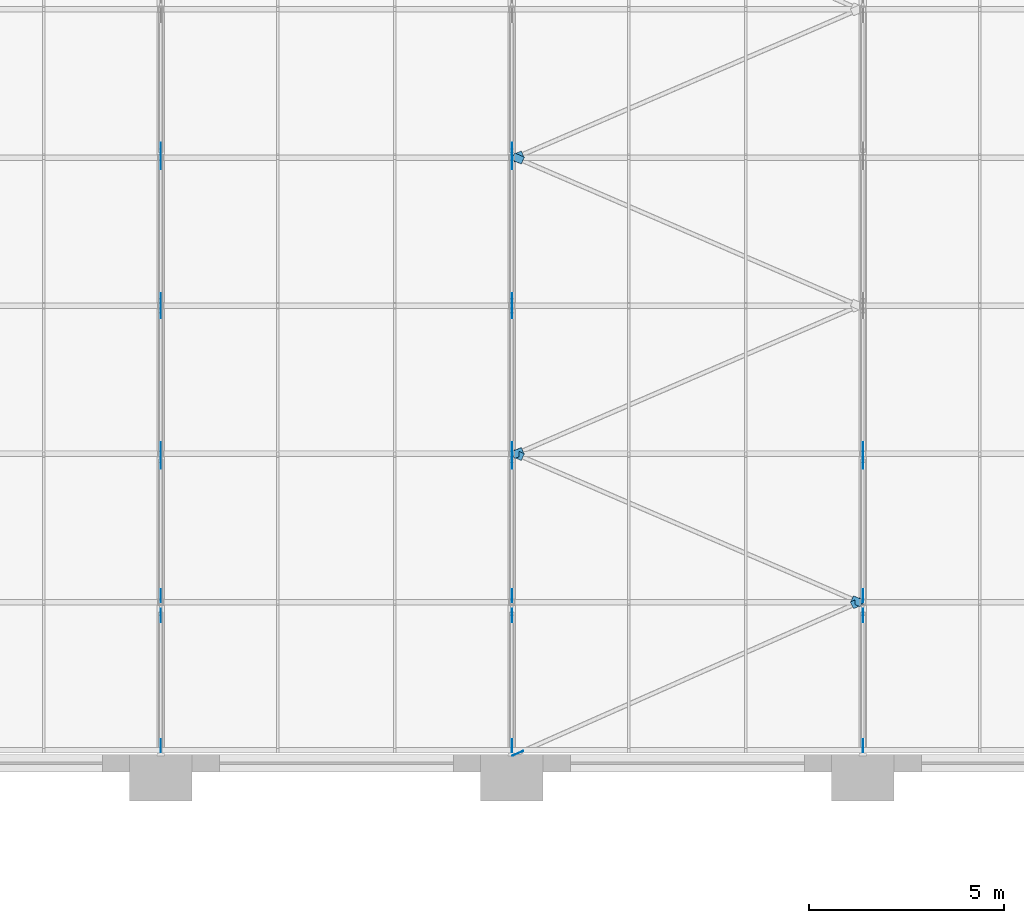
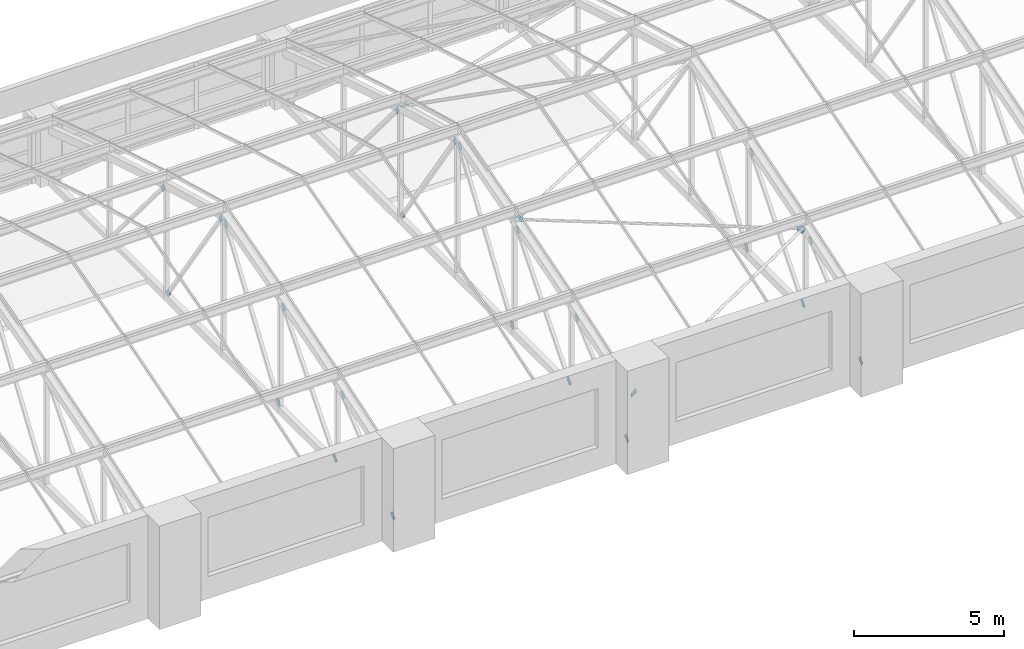
# One storey, part 68 of 82: 30 discrete accessories.
"""IFC4 building model written with IfcOpenShell, lengths in metres."""

from ifc_helpers import new_model, si_unit, direction, frame, origin, place, context, subcontext, project, spatial, polyline, outline, extrude, material, layer, layer_set, type_object, element, save


model = new_model("IFC4")

# Units and contexts
model_context = context("Model", 3, precision=1e-05, world=origin(), true_north=direction((0.0, 1.0)))
body_context = subcontext(model_context, "Body", "Model", "MODEL_VIEW")
ifc_project = project(units=[si_unit("LENGTHUNIT", "METRE"), si_unit("AREAUNIT", "SQUARE_METRE"), si_unit("VOLUMEUNIT", "CUBIC_METRE"), si_unit("PLANEANGLEUNIT", "RADIAN"), si_unit("MASSUNIT", "GRAM", prefix="KILO")], contexts=[model_context])

# Site, building, storey
site_placement = place(None, origin())
site = spatial("IfcSite", under=ifc_project, at=site_placement, CompositionType="ELEMENT")
building_placement = place(site_placement, origin())
building = spatial("IfcBuilding", under=site, at=building_placement, Name="Aravalli Gate Trade Fair Centre", CompositionType="ELEMENT")
storey_placement = place(building_placement, frame((0.0, 0.0, 19.199951171875)))
storey = spatial("IfcBuildingStorey", under=building, at=storey_placement, Name="L04", CompositionType="ELEMENT", Elevation=19.199951171875)

# Discrete accessories
ifc_material = material(Name="Steel E350", Category="steel")
ifc_layer = layer(ifc_material, 0.010009765625)
ifc_layer_set = layer_set([ifc_layer], Name="Steel E350")
discrete_accessory_type = type_object("IfcDiscreteAccessoryType", Name="Gusset plate 200 x 200 x 10", PredefinedType="USERDEFINED", material=ifc_layer_set)
discrete_accessory_1_placement = place(storey_placement, frame((59.9951171875, 109.990234375, 0.355224609375), z_axis=(-1.0, 0.0, 0.0), x_axis=(0.0, -0.756666176812, -0.653801420057)))
element("IfcDiscreteAccessory", 1, at=discrete_accessory_1_placement, inside=storey, type_object=discrete_accessory_type, Name="Gusset plate Concourse vault truss CT1 line 07 diagonal D1 end A", ObjectType="GUSSET PLATE", PredefinedType="USERDEFINED", context=body_context, shape_type="SweptSolid", body=[
    extrude(outline(polyline([(0.0, 0.0), (0.28006281897354945, 0.0), (0.28009048635135136, 0.1997461238225559), (5.27808438066657e-05, 0.2000904762631978), (0.0, 0.0)])), origin(), (0.0, 0.0, -1.0), 0.010009765625),
])
discrete_accessory_2_placement = place(storey_placement, frame((59.9951171875, 112.988525390625, 3.212158203125), z_axis=(-1.0, 0.0, 0.0), x_axis=(0.0, 0.756293179151, 0.654232853937)))
element("IfcDiscreteAccessory", 2, at=discrete_accessory_2_placement, inside=storey, type_object=discrete_accessory_type, Name="Gusset plate Concourse vault truss CT1 line 07 diagonal D1 end B", ObjectType="GUSSET PLATE", PredefinedType="USERDEFINED", context=body_context, shape_type="SweptSolid", body=[
    extrude(outline(polyline([(0.0, 0.0), (0.2798781315371493, 0.0), (0.27981679720709274, 0.20009047382409476), (-6.133433005656164e-05, 0.20009047382409473), (0.0, 0.0)])), origin(), (0.0, 0.0, -1.0), 0.010009765625),
])
discrete_accessory_3_placement = place(storey_placement, frame((60.0048828125, 113.677978515625, 0.517578125), z_axis=(1.0, 0.0, 0.0), x_axis=(0.0, -0.642926085547, -0.765928226744)))
element("IfcDiscreteAccessory", 3, at=discrete_accessory_3_placement, inside=storey, type_object=discrete_accessory_type, Name="Gusset plate Concourse vault truss CT1 line 07 diagonal D2 end A", ObjectType="GUSSET PLATE", PredefinedType="USERDEFINED", context=body_context, shape_type="SweptSolid", body=[
    extrude(outline(polyline([(0.0, 0.0), (0.2798636494456477, 2.7755575615628914e-17), (0.2799929267542597, 0.1999655872196676), (-2.768706774226859e-05, 0.20015258141565), (0.0, 0.0)])), origin(), (0.0, 0.0, -1.0), 0.010009765625),
])
discrete_accessory_4_placement = place(storey_placement, frame((59.9951171875, 116.918212890625, 4.374267578125), z_axis=(-1.0, 0.0, 0.0), x_axis=(0.0, 0.643008166301, 0.765859320025)))
element("IfcDiscreteAccessory", 4, at=discrete_accessory_4_placement, inside=storey, type_object=discrete_accessory_type, Name="Gusset plate Concourse vault truss CT1 line 07 diagonal D2 end B", ObjectType="GUSSET PLATE", PredefinedType="USERDEFINED", context=body_context, shape_type="SweptSolid", body=[
    extrude(outline(polyline([(0.0, 0.0), (0.28020760962713065, 0.0), (0.2802567470255098, 0.2001525772990151), (-0.00010784701722174606, 0.19996559992596197), (0.0, 0.0)])), origin(), (0.0, 0.0, -1.0), 0.010009765625),
])
discrete_accessory_5_placement = place(storey_placement, frame((60.0048828125, 117.432373046875, 0.521728515625), z_axis=(1.0, 0.0, 0.0), x_axis=(0.0, -0.563120416317, -0.826374852429)))
element("IfcDiscreteAccessory", 5, at=discrete_accessory_5_placement, inside=storey, type_object=discrete_accessory_type, Name="Gusset plate Concourse vault truss CT1 line 07 diagonal D3 end A", ObjectType="GUSSET PLATE", PredefinedType="USERDEFINED", context=body_context, shape_type="SweptSolid", body=[
    extrude(outline(polyline([(0.0, 0.0), (0.28007303443443027, 0.0), (0.2800062095132191, 0.19996442554114646), (0.00013492675174497926, 0.20010190611153644), (0.0, 0.0)])), origin(), (0.0, 0.0, -1.0), 0.010009765625),
])
discrete_accessory_6_placement = place(storey_placement, frame((59.9951171875, 120.77392578125, 5.423828125), z_axis=(-1.0, 0.0, 0.0), x_axis=(0.0, 0.564121160258, 0.82569202282)))
element("IfcDiscreteAccessory", 6, at=discrete_accessory_6_placement, inside=storey, type_object=discrete_accessory_type, Name="Gusset plate Concourse vault truss CT1 line 07 diagonal D3 end B", ObjectType="GUSSET PLATE", PredefinedType="USERDEFINED", context=body_context, shape_type="SweptSolid", body=[
    extrude(outline(polyline([(0.0, 0.0), (0.2800089688227054, -2.7755575615628914e-17), (0.2801803266875835, 0.19976261286755298), (0.00010749779101053292, 0.20010192272670302), (0.0, 0.0)])), origin(), (0.0, 0.0, -1.0), 0.010009765625),
])
discrete_accessory_7_placement = place(storey_placement, frame((59.9951171875, 121.2607421875, 5.31103515625), z_axis=(-1.0, 0.0, 0.0), x_axis=(0.0, -0.563120416317, 0.826374852429)))
element("IfcDiscreteAccessory", 7, at=discrete_accessory_7_placement, inside=storey, type_object=discrete_accessory_type, Name="Gusset plate Concourse vault truss CT1 line 07 diagonal D4 end A", ObjectType="GUSSET PLATE", PredefinedType="USERDEFINED", context=body_context, shape_type="SweptSolid", body=[
    extrude(outline(polyline([(0.0, 0.0), (0.28007303443443027, 0.0), (0.2800062095132191, 0.19996442554114646), (0.00013492675174497926, 0.20010190611153644), (0.0, 0.0)])), origin(), (0.0, 0.0, -1.0), 0.010009765625),
])
discrete_accessory_8_placement = place(storey_placement, frame((60.0048828125, 124.602294921875, 0.408935546875), z_axis=(1.0, 0.0, 0.0), x_axis=(0.0, 0.563526286674, -0.826098132323)))
element("IfcDiscreteAccessory", 8, at=discrete_accessory_8_placement, inside=storey, type_object=discrete_accessory_type, Name="Gusset plate Concourse vault truss CT1 line 07 diagonal D4 end B", ObjectType="GUSSET PLATE", PredefinedType="USERDEFINED", context=body_context, shape_type="SweptSolid", body=[
    extrude(outline(polyline([(0.0, 0.0), (0.279871316528615, 0.0), (0.2800363695260922, 0.19996436858870342), (-3.6631116859461854e-05, 0.20010194824853597), (0.0, 0.0)])), origin(), (0.0, 0.0, -1.0), 0.010009765625),
])
discrete_accessory_9_placement = place(storey_placement, frame((59.9951171875, 125.128662109375, 4.24560546875), z_axis=(-1.0, 0.0, 0.0), x_axis=(0.0, -0.643008166301, 0.765859320025)))
element("IfcDiscreteAccessory", 9, at=discrete_accessory_9_placement, inside=storey, type_object=discrete_accessory_type, Name="Gusset plate Concourse vault truss CT1 line 07 diagonal D5 end A", ObjectType="GUSSET PLATE", PredefinedType="USERDEFINED", context=body_context, shape_type="SweptSolid", body=[
    extrude(outline(polyline([(0.0, 0.0), (0.28020760962713065, 0.0), (0.2803154566443524, 0.19996559992596197), (0.00010784701722174606, 0.19996559992596197), (0.0, 0.0)])), origin(), (0.0, 0.0, -1.0), 0.010009765625),
])
discrete_accessory_10_placement = place(storey_placement, frame((68.9951171875, 109.990234375, 0.355224609375), z_axis=(-1.0, 0.0, 0.0), x_axis=(0.0, -0.756666176812, -0.653801420057)))
element("IfcDiscreteAccessory", 10, at=discrete_accessory_10_placement, inside=storey, type_object=discrete_accessory_type, Name="Gusset plate Concourse vault truss CT1 line 08 diagonal D1 end A", ObjectType="GUSSET PLATE", PredefinedType="USERDEFINED", context=body_context, shape_type="SweptSolid", body=[
    extrude(outline(polyline([(0.0, 0.0), (0.28006281897354945, 0.0), (0.28009048635135136, 0.1997461238225559), (5.27808438066657e-05, 0.2000904762631978), (0.0, 0.0)])), origin(), (0.0, 0.0, -1.0), 0.010009765625),
])
discrete_accessory_11_placement = place(storey_placement, frame((68.9951171875, 112.988525390625, 3.212158203125), z_axis=(-1.0, 0.0, 0.0), x_axis=(0.0, 0.756293179151, 0.654232853937)))
element("IfcDiscreteAccessory", 11, at=discrete_accessory_11_placement, inside=storey, type_object=discrete_accessory_type, Name="Gusset plate Concourse vault truss CT1 line 08 diagonal D1 end B", ObjectType="GUSSET PLATE", PredefinedType="USERDEFINED", context=body_context, shape_type="SweptSolid", body=[
    extrude(outline(polyline([(0.0, 0.0), (0.2798781315371493, 0.0), (0.27981679720709274, 0.20009047382409476), (-6.133433005656164e-05, 0.20009047382409473), (0.0, 0.0)])), origin(), (0.0, 0.0, -1.0), 0.010009765625),
])
discrete_accessory_12_placement = place(storey_placement, frame((69.0048828125, 113.677978515625, 0.517578125), z_axis=(1.0, 0.0, 0.0), x_axis=(0.0, -0.642926085547, -0.765928226744)))
element("IfcDiscreteAccessory", 12, at=discrete_accessory_12_placement, inside=storey, type_object=discrete_accessory_type, Name="Gusset plate Concourse vault truss CT1 line 08 diagonal D2 end A", ObjectType="GUSSET PLATE", PredefinedType="USERDEFINED", context=body_context, shape_type="SweptSolid", body=[
    extrude(outline(polyline([(0.0, 0.0), (0.2798636494456477, 2.7755575615628914e-17), (0.2799929267542597, 0.1999655872196676), (-2.768706774226859e-05, 0.20015258141565), (0.0, 0.0)])), origin(), (0.0, 0.0, -1.0), 0.010009765625),
])
discrete_accessory_13_placement = place(storey_placement, frame((68.9951171875, 116.918212890625, 4.374267578125), z_axis=(-1.0, 0.0, 0.0), x_axis=(0.0, 0.643008166301, 0.765859320025)))
element("IfcDiscreteAccessory", 13, at=discrete_accessory_13_placement, inside=storey, type_object=discrete_accessory_type, Name="Gusset plate Concourse vault truss CT1 line 08 diagonal D2 end B", ObjectType="GUSSET PLATE", PredefinedType="USERDEFINED", context=body_context, shape_type="SweptSolid", body=[
    extrude(outline(polyline([(0.0, 0.0), (0.28020760962713065, 0.0), (0.2802567470255098, 0.2001525772990151), (-0.00010784701722174606, 0.19996559992596197), (0.0, 0.0)])), origin(), (0.0, 0.0, -1.0), 0.010009765625),
])
discrete_accessory_14_placement = place(storey_placement, frame((69.0048828125, 117.432373046875, 0.521728515625), z_axis=(1.0, 0.0, 0.0), x_axis=(0.0, -0.563120416317, -0.826374852429)))
element("IfcDiscreteAccessory", 14, at=discrete_accessory_14_placement, inside=storey, type_object=discrete_accessory_type, Name="Gusset plate Concourse vault truss CT1 line 08 diagonal D3 end A", ObjectType="GUSSET PLATE", PredefinedType="USERDEFINED", context=body_context, shape_type="SweptSolid", body=[
    extrude(outline(polyline([(0.0, 0.0), (0.28007303443443027, 0.0), (0.2800062095132191, 0.19996442554114646), (0.00013492675174497926, 0.20010190611153644), (0.0, 0.0)])), origin(), (0.0, 0.0, -1.0), 0.010009765625),
])
discrete_accessory_15_placement = place(storey_placement, frame((68.9951171875, 120.77392578125, 5.423828125), z_axis=(-1.0, 0.0, 0.0), x_axis=(0.0, 0.564121160258, 0.82569202282)))
element("IfcDiscreteAccessory", 15, at=discrete_accessory_15_placement, inside=storey, type_object=discrete_accessory_type, Name="Gusset plate Concourse vault truss CT1 line 08 diagonal D3 end B", ObjectType="GUSSET PLATE", PredefinedType="USERDEFINED", context=body_context, shape_type="SweptSolid", body=[
    extrude(outline(polyline([(0.0, 0.0), (0.2800089688227054, -2.7755575615628914e-17), (0.2801803266875835, 0.19976261286755298), (0.00010749779101053292, 0.20010192272670302), (0.0, 0.0)])), origin(), (0.0, 0.0, -1.0), 0.010009765625),
])
discrete_accessory_16_placement = place(storey_placement, frame((68.9951171875, 121.2607421875, 5.31103515625), z_axis=(-1.0, 0.0, 0.0), x_axis=(0.0, -0.563120416317, 0.826374852429)))
element("IfcDiscreteAccessory", 16, at=discrete_accessory_16_placement, inside=storey, type_object=discrete_accessory_type, Name="Gusset plate Concourse vault truss CT1 line 08 diagonal D4 end A", ObjectType="GUSSET PLATE", PredefinedType="USERDEFINED", context=body_context, shape_type="SweptSolid", body=[
    extrude(outline(polyline([(0.0, 0.0), (0.28007303443443027, 0.0), (0.2800062095132191, 0.19996442554114646), (0.00013492675174497926, 0.20010190611153644), (0.0, 0.0)])), origin(), (0.0, 0.0, -1.0), 0.010009765625),
])
discrete_accessory_17_placement = place(storey_placement, frame((69.0048828125, 124.602294921875, 0.408935546875), z_axis=(1.0, 0.0, 0.0), x_axis=(0.0, 0.563526286674, -0.826098132323)))
element("IfcDiscreteAccessory", 17, at=discrete_accessory_17_placement, inside=storey, type_object=discrete_accessory_type, Name="Gusset plate Concourse vault truss CT1 line 08 diagonal D4 end B", ObjectType="GUSSET PLATE", PredefinedType="USERDEFINED", context=body_context, shape_type="SweptSolid", body=[
    extrude(outline(polyline([(0.0, 0.0), (0.279871316528615, 0.0), (0.2800363695260922, 0.19996436858870342), (-3.6631116859461854e-05, 0.20010194824853597), (0.0, 0.0)])), origin(), (0.0, 0.0, -1.0), 0.010009765625),
])
discrete_accessory_18_placement = place(storey_placement, frame((68.9951171875, 125.128662109375, 4.24560546875), z_axis=(-1.0, 0.0, 0.0), x_axis=(0.0, -0.643008166301, 0.765859320025)))
element("IfcDiscreteAccessory", 18, at=discrete_accessory_18_placement, inside=storey, type_object=discrete_accessory_type, Name="Gusset plate Concourse vault truss CT1 line 08 diagonal D5 end A", ObjectType="GUSSET PLATE", PredefinedType="USERDEFINED", context=body_context, shape_type="SweptSolid", body=[
    extrude(outline(polyline([(0.0, 0.0), (0.28020760962713065, 0.0), (0.2803154566443524, 0.19996559992596197), (0.00010784701722174606, 0.19996559992596197), (0.0, 0.0)])), origin(), (0.0, 0.0, -1.0), 0.010009765625),
])
discrete_accessory_19_placement = place(storey_placement, frame((77.9951171875, 109.990234375, 0.355224609375), z_axis=(-1.0, 0.0, 0.0), x_axis=(0.0, -0.756666176812, -0.653801420057)))
element("IfcDiscreteAccessory", 19, at=discrete_accessory_19_placement, inside=storey, type_object=discrete_accessory_type, Name="Gusset plate Concourse vault truss CT1 line 09 diagonal D1 end A", ObjectType="GUSSET PLATE", PredefinedType="USERDEFINED", context=body_context, shape_type="SweptSolid", body=[
    extrude(outline(polyline([(0.0, 0.0), (0.28006281897354945, 0.0), (0.28009048635135136, 0.1997461238225559), (5.27808438066657e-05, 0.2000904762631978), (0.0, 0.0)])), origin(), (0.0, 0.0, -1.0), 0.010009765625),
])
discrete_accessory_20_placement = place(storey_placement, frame((77.9951171875, 112.988525390625, 3.212158203125), z_axis=(-1.0, 0.0, 0.0), x_axis=(0.0, 0.756293179151, 0.654232853937)))
element("IfcDiscreteAccessory", 20, at=discrete_accessory_20_placement, inside=storey, type_object=discrete_accessory_type, Name="Gusset plate Concourse vault truss CT1 line 09 diagonal D1 end B", ObjectType="GUSSET PLATE", PredefinedType="USERDEFINED", context=body_context, shape_type="SweptSolid", body=[
    extrude(outline(polyline([(0.0, 0.0), (0.2798781315371493, 0.0), (0.27981679720709274, 0.20009047382409476), (-6.133433005656164e-05, 0.20009047382409473), (0.0, 0.0)])), origin(), (0.0, 0.0, -1.0), 0.010009765625),
])
discrete_accessory_21_placement = place(storey_placement, frame((78.0048828125, 113.677978515625, 0.517578125), z_axis=(1.0, 0.0, 0.0), x_axis=(0.0, -0.642926085547, -0.765928226744)))
element("IfcDiscreteAccessory", 21, at=discrete_accessory_21_placement, inside=storey, type_object=discrete_accessory_type, Name="Gusset plate Concourse vault truss CT1 line 09 diagonal D2 end A", ObjectType="GUSSET PLATE", PredefinedType="USERDEFINED", context=body_context, shape_type="SweptSolid", body=[
    extrude(outline(polyline([(0.0, 0.0), (0.2798636494456477, 2.7755575615628914e-17), (0.2799929267542597, 0.1999655872196676), (-2.768706774226859e-05, 0.20015258141565), (0.0, 0.0)])), origin(), (0.0, 0.0, -1.0), 0.010009765625),
])
discrete_accessory_22_placement = place(storey_placement, frame((77.9951171875, 116.918212890625, 4.374267578125), z_axis=(-1.0, 0.0, 0.0), x_axis=(0.0, 0.643008166301, 0.765859320025)))
element("IfcDiscreteAccessory", 22, at=discrete_accessory_22_placement, inside=storey, type_object=discrete_accessory_type, Name="Gusset plate Concourse vault truss CT1 line 09 diagonal D2 end B", ObjectType="GUSSET PLATE", PredefinedType="USERDEFINED", context=body_context, shape_type="SweptSolid", body=[
    extrude(outline(polyline([(0.0, 0.0), (0.28020760962713065, 0.0), (0.2802567470255098, 0.2001525772990151), (-0.00010784701722174606, 0.19996559992596197), (0.0, 0.0)])), origin(), (0.0, 0.0, -1.0), 0.010009765625),
])
discrete_accessory_23_placement = place(storey_placement, frame((78.0048828125, 117.432373046875, 0.521728515625), z_axis=(1.0, 0.0, 0.0), x_axis=(0.0, -0.563120416317, -0.826374852429)))
element("IfcDiscreteAccessory", 23, at=discrete_accessory_23_placement, inside=storey, type_object=discrete_accessory_type, Name="Gusset plate Concourse vault truss CT1 line 09 diagonal D3 end A", ObjectType="GUSSET PLATE", PredefinedType="USERDEFINED", context=body_context, shape_type="SweptSolid", body=[
    extrude(outline(polyline([(0.0, 0.0), (0.28007303443443027, 0.0), (0.2800062095132191, 0.19996442554114646), (0.00013492675174497926, 0.20010190611153644), (0.0, 0.0)])), origin(), (0.0, 0.0, -1.0), 0.010009765625),
])
discrete_accessory_24_placement = place(storey_placement, frame((69.291259765625, 109.690185546875, 2.16650390625), z_axis=(-0.404854325528, 0.914381178706, 0.000187430586), x_axis=(-0.90642266264, -0.401303585, -0.131732263772)))
element("IfcDiscreteAccessory", 24, at=discrete_accessory_24_placement, inside=storey, type_object=discrete_accessory_type, Name="Gusset plate Vault plan brace 8.1 end A", ObjectType="GUSSET PLATE", PredefinedType="USERDEFINED", context=body_context, shape_type="SweptSolid", body=[
    extrude(outline(polyline([(0.0, 0.0), (0.2798496990753623, -6.938893903907228e-18), (0.2799538502371876, 0.1999988344292271), (0.00010415116182532075, 0.1999988344292271), (0.0, 0.0)])), origin(), (0.0, 0.0, -1.0), 0.010009765625),
])
discrete_accessory_25_placement = place(storey_placement, frame((77.760986328125, 113.33203125, 3.47216796875), z_axis=(0.000528950878, -0.312352943747, 0.949965977677), x_axis=(0.906261045519, 0.401717708564, 0.131581913654)))
element("IfcDiscreteAccessory", 25, at=discrete_accessory_25_placement, inside=storey, type_object=discrete_accessory_type, Name="Gusset plate Vault plan brace 8.1 end B", ObjectType="GUSSET PLATE", PredefinedType="USERDEFINED", context=body_context, shape_type="SweptSolid", body=[
    extrude(outline(polyline([(0.0, 0.0), (0.28016899901111975, -3.469446951953614e-18), (0.2799896547020818, 0.20002515461374804), (4.1910829028288764e-05, 0.19992195193947077), (0.0, 0.0)])), origin(), (0.0, 0.0, -1.0), 0.010009765625),
])
discrete_accessory_26_placement = place(storey_placement, frame((69.2412109375, 117.132568359375, 4.6279296875), z_axis=(-0.00023475649, -0.28988753474, 0.957060688824), x_axis=(-0.911344210422, 0.39403136886, 0.119126027735)))
element("IfcDiscreteAccessory", 26, at=discrete_accessory_26_placement, inside=storey, type_object=discrete_accessory_type, Name="Gusset plate Vault plan brace 8.2 end A", ObjectType="GUSSET PLATE", PredefinedType="USERDEFINED", context=body_context, shape_type="SweptSolid", body=[
    extrude(outline(polyline([(0.0, 0.0), (0.2799458052705247, 5.204170427930421e-18), (0.2801843528005523, -0.199804851040062), (8.316694670327304e-05, -0.20005376437211714), (0.0, 0.0)])), origin(), (0.0, 0.0, -1.0), 0.010009765625),
])
discrete_accessory_27_placement = place(storey_placement, frame((77.676513671875, 113.49072265625, 3.52294921875), z_axis=(-0.010670625077, -0.312246377396, 0.949941228479), x_axis=(0.911808658416, -0.393011497201, -0.118940882396)))
element("IfcDiscreteAccessory", 27, at=discrete_accessory_27_placement, inside=storey, type_object=discrete_accessory_type, Name="Gusset plate Vault plan brace 8.2 end B", ObjectType="GUSSET PLATE", PredefinedType="USERDEFINED", context=body_context, shape_type="SweptSolid", body=[
    extrude(outline(polyline([(0.0, 0.0), (0.2800722661002971, -1.734723475976807e-18), (0.2800833796168625, 0.19981620470050296), (0.0002046847509452731, 0.19998695160307056), (0.0, 0.0)])), origin(), (0.0, 0.0, -1.0), 0.010009765625),
])
discrete_accessory_28_placement = place(storey_placement, frame((69.323486328125, 117.2900390625, 4.674072265625), z_axis=(0.010703526911, -0.289484409146, 0.957122882065), x_axis=(-0.912632577722, -0.393992287612, -0.108958044141)))
element("IfcDiscreteAccessory", 28, at=discrete_accessory_28_placement, inside=storey, type_object=discrete_accessory_type, Name="Gusset plate Vault plan brace 8.3 end A", ObjectType="GUSSET PLATE", PredefinedType="USERDEFINED", context=body_context, shape_type="SweptSolid", body=[
    extrude(outline(polyline([(0.0, 0.0), (0.2800855904279852, -2.0816681711721685e-17), (0.28009942299218277, -0.2001134188429311), (1.3832564197534258e-05, -0.20011341884293107), (0.0, 0.0)])), origin(), (0.0, 0.0, -1.0), 0.010009765625),
])
discrete_accessory_29_placement = place(storey_placement, frame((69.24169921875, 124.734619140625, 4.725341796875), z_axis=(-5.5365859e-05, 0.266424770515, 0.963855714612), x_axis=(-0.912632577722, 0.393992287612, -0.108958044141)))
element("IfcDiscreteAccessory", 29, at=discrete_accessory_29_placement, inside=storey, type_object=discrete_accessory_type, Name="Gusset plate Vault plan brace 8.4 end A", ObjectType="GUSSET PLATE", PredefinedType="USERDEFINED", context=body_context, shape_type="SweptSolid", body=[
    extrude(outline(polyline([(0.0, 0.0), (0.2800855904279852, 2.6020852139652106e-18), (0.2799940826956015, -0.19987139434037546), (-9.150773238370252e-05, -0.19987139434037549), (0.0, 0.0)])), origin(), (0.0, 0.0, -1.0), 0.010009765625),
])
discrete_accessory_30_placement = place(storey_placement, frame((69.323486328125, 124.89208984375, 4.67822265625), z_axis=(0.010732060842, 0.266520829412, 0.963769407254), x_axis=(-0.911715486623, -0.393240231321, 0.118899082935)))
element("IfcDiscreteAccessory", 30, at=discrete_accessory_30_placement, inside=storey, type_object=discrete_accessory_type, Name="Gusset plate Vault plan brace 8.5 end A", ObjectType="GUSSET PLATE", PredefinedType="USERDEFINED", context=body_context, shape_type="SweptSolid", body=[
    extrude(outline(polyline([(0.0, 0.0), (0.28010129826545394, -1.734723475976807e-18), (0.28007669296726506, -0.19979470236612554), (0.000131003671107046, -0.20005150671758398), (0.0, 0.0)])), origin(), (0.0, 0.0, -1.0), 0.010009765625),
])

save(model, "model.ifc")
